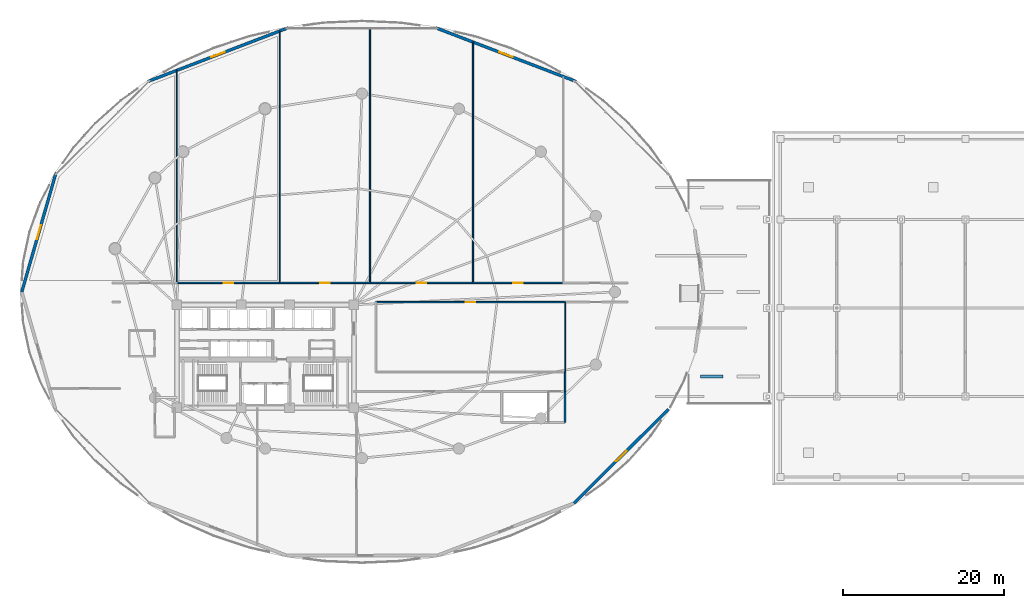
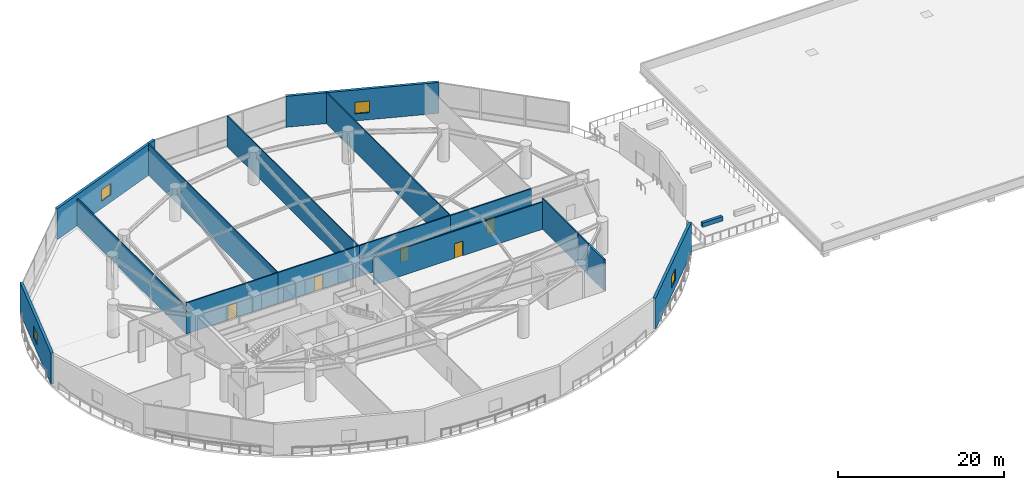
# One storey, part 18 of 26: 17 walls, 5 doors, 4 windows, 9 openings.
"""IFC4 building model written with IfcOpenShell, lengths in metres."""

from ifc_helpers import new_model, si_unit, direction, frame, frame_2d, origin, place, context, subcontext, project, spatial, rectangle, extrude, material, layer, layer_set, type_object, element, fill, save


model = new_model("IFC4")

# Units and contexts
model_context = context("Model", 3, precision=1e-05, world=origin(), true_north=direction((0.0, 1.0)))
body_context = subcontext(model_context, "Body", "Model", "MODEL_VIEW")
ifc_project = project(units=[si_unit("LENGTHUNIT", "METRE"), si_unit("AREAUNIT", "SQUARE_METRE"), si_unit("VOLUMEUNIT", "CUBIC_METRE"), si_unit("PLANEANGLEUNIT", "RADIAN"), si_unit("MASSUNIT", "GRAM", prefix="KILO")], contexts=[model_context])

# Site, building, storey
site_placement = place(None, origin())
site = spatial("IfcSite", under=ifc_project, at=site_placement, CompositionType="ELEMENT")
building_placement = place(site_placement, origin())
building = spatial("IfcBuilding", under=site, at=building_placement, Name="Kazevale Care Tower and Concert Hall", CompositionType="ELEMENT")
storey_placement = place(building_placement, frame((0.0, 0.0, 19.199951171875)))
storey = spatial("IfcBuildingStorey", under=building, at=storey_placement, Name="L04", CompositionType="ELEMENT", Elevation=19.199951171875)

# Walls
ifc_material_1 = material(Name="Acoustic Gypsum on Steel Stud", Category="steel")
ifc_layer_1 = layer(ifc_material_1, 0.139892578125)
ifc_layer_set_1 = layer_set([ifc_layer_1], Name="Acoustic Gypsum on Steel Stud")
wall_type_1 = type_object("IfcWallType", Name="Acoustic Care & Suite Partition 140", PredefinedType="PARTITIONING", material=ifc_layer_set_1)
wall_1_placement = place(storey_placement, frame((22.0, 65.529296875, 0.0), z_axis=(0.0, 0.0, 1.0), x_axis=(0.0, -1.0, 0.0)))
element("IfcWall", 1, at=wall_1_placement, inside=storey, type_object=wall_type_1, Name="wall:L04:auto_017", PredefinedType="PARTITIONING", context=body_context, shape_type="SweptSolid", body=[
    extrude(rectangle(XDim=26.434326171875, YDim=0.139892578125, at=frame_2d((13.21728515625, 0.0))), origin(), (0.0, 0.0, 1.0), 4.006103515625),
])
wall_2_placement = place(storey_placement, frame((34.800048828125, 70.425048828125, 0.0), z_axis=(0.0, 0.0, 1.0), x_axis=(0.0, -1.0, 0.0)))
element("IfcWall", 2, at=wall_2_placement, inside=storey, type_object=wall_type_1, Name="wall:L04:auto_018", PredefinedType="PARTITIONING", context=body_context, shape_type="SweptSolid", body=[
    extrude(rectangle(XDim=31.330078125, YDim=0.139892578125, at=frame_2d((15.6650390625, 0.0))), origin(), (0.0, 0.0, 1.0), 4.56005859375),
])
wall_3_placement = place(storey_placement, frame((46.0, 70.72802734375, 0.0), z_axis=(0.0, 0.0, 1.0), x_axis=(0.0, -1.0, 0.0)))
element("IfcWall", 3, at=wall_3_placement, inside=storey, type_object=wall_type_1, Name="wall:L04:auto_019", PredefinedType="PARTITIONING", context=body_context, shape_type="SweptSolid", body=[
    extrude(rectangle(XDim=31.633056640625, YDim=0.139892578125, at=frame_2d((15.81640625, 0.0))), origin(), (0.0, 0.0, 1.0), 4.56005859375),
])
wall_4_placement = place(storey_placement, frame((58.800048828125, 69.048095703125, 0.0), z_axis=(0.0, 0.0, 1.0), x_axis=(0.0, -1.0, 0.0)))
element("IfcWall", 4, at=wall_4_placement, inside=storey, type_object=wall_type_1, Name="wall:L04:auto_020", PredefinedType="PARTITIONING", context=body_context, shape_type="SweptSolid", body=[
    extrude(rectangle(XDim=29.953125, YDim=0.139892578125, at=frame_2d((14.9765625, 0.0))), origin(), (0.0, 0.0, 1.0), 4.56005859375),
])
wall_5_placement = place(storey_placement, frame((70.25, 36.7548828125, 0.0), z_axis=(0.0, 0.0, 1.0), x_axis=(0.0, -1.0, 0.0)))
element("IfcWall", 5, at=wall_5_placement, inside=storey, type_object=wall_type_1, Name="wall:L04:auto_023", PredefinedType="PARTITIONING", context=body_context, shape_type="SweptSolid", body=[
    extrude(rectangle(XDim=8.73486328125, YDim=0.139892578125, at=frame_2d((4.367431640625, 0.0))), origin(), (0.0, 0.0, 1.0), 4.56005859375),
])

# Wall, opening, door
ifc_material_2 = material(Name="Concrete C40 and Acoustic Gypsum", Category="concrete")
ifc_layer_2 = layer(ifc_material_2, 0.179931640625)
ifc_layer_set_2 = layer_set([ifc_layer_2], Name="Concrete C40 and Acoustic Gypsum")
wall_type_2 = type_object("IfcWallType", Name="Fire-Rated Corridor & Party Wall 180", PredefinedType="PARTITIONING", material=ifc_layer_set_2)
wall_6_placement = place(storey_placement, frame((21.93505859375, 39.125, 0.0), z_axis=(0.0, 0.0, 1.0), x_axis=(1.0, 0.0, 0.0)))
wall_6 = element("IfcWall", 6, at=wall_6_placement, inside=storey, type_object=wall_type_2, Name="wall:L04:auto_002", PredefinedType="PARTITIONING", context=body_context, shape_type="SweptSolid", body=[
    extrude(rectangle(XDim=12.929931640625, YDim=0.179931640625, at=frame_2d((6.46484375, 0.0))), origin(), (0.0, 0.0, 1.0), 4.56005859375),
])
opening_1_placement = place(wall_6_placement, frame((5.864990234375, 0.0, 0.0)))
opening_1 = element("IfcOpeningElement", 7, at=opening_1_placement, cuts=wall_6, Name="Opening ID-1200", PredefinedType="OPENING", context=body_context, shape_type="SweptSolid", body=[
    extrude(rectangle(XDim=1.199951171875, YDim=2.14990234375, at=frame_2d((0.60009765625, 1.074951171875))), frame((0.0, 0.099853515625, 0.0), z_axis=(0.0, -1.0, 0.0), x_axis=(1.0, 0.0, 0.0)), (0.0, 0.0, 1.0), 0.199951171875),
])
ifc_material_3 = material(Name="Oak Timber Fire Leaf", Category="wood")
door_type = type_object("IfcDoorType", Name="Clinical & Therapy Door 1200x2150", OperationType="NOTDEFINED", PredefinedType="DOOR", material=ifc_material_3)
door_1_placement = place(opening_1_placement, origin())
door_1 = element("IfcDoor", 8, at=door_1_placement, inside=storey, type_object=door_type, Name="door:L04:ad_002", OperationType="SINGLE_SWING_LEFT", OverallHeight=2.14990234375, OverallWidth=1.199951171875, PredefinedType="DOOR", context=body_context, shape_type="SweptSolid", body=[
    extrude(rectangle(XDim=1.199951171875, YDim=2.14990234375, at=frame_2d((0.60009765625, 1.074951171875))), frame((0.0, 0.02490234375, 0.0), z_axis=(0.0, -1.0, 0.0), x_axis=(1.0, 0.0, 0.0)), (0.0, 0.0, 1.0), 0.050048828125),
])
fill(opening_1, door_1)

wall_7_placement = place(storey_placement, frame((34.735107421875, 39.125, 0.0), z_axis=(0.0, 0.0, 1.0), x_axis=(1.0, 0.0, 0.0)))
wall_7 = element("IfcWall", 9, at=wall_7_placement, inside=storey, type_object=wall_type_2, Name="wall:L04:auto_003", PredefinedType="PARTITIONING", context=body_context, shape_type="SweptSolid", body=[
    extrude(rectangle(XDim=11.329833984375, YDim=0.179931640625, at=frame_2d((5.6650390625, 0.0))), origin(), (0.0, 0.0, 1.0), 4.56005859375),
])
opening_2_placement = place(wall_7_placement, frame((5.06494140625, 0.0, 0.0)))
opening_2 = element("IfcOpeningElement", 10, at=opening_2_placement, cuts=wall_7, Name="Opening ID-1200", PredefinedType="OPENING", context=body_context, shape_type="SweptSolid", body=[
    extrude(rectangle(XDim=1.199951171875, YDim=2.14990234375, at=frame_2d((0.60009765625, 1.074951171875))), frame((0.0, 0.099853515625, 0.0), z_axis=(0.0, -1.0, 0.0), x_axis=(1.0, 0.0, 0.0)), (0.0, 0.0, 1.0), 0.199951171875),
])
door_2_placement = place(opening_2_placement, origin())
door_2 = element("IfcDoor", 11, at=door_2_placement, inside=storey, type_object=door_type, Name="door:L04:ad_003", OperationType="SINGLE_SWING_LEFT", OverallHeight=2.14990234375, OverallWidth=1.199951171875, PredefinedType="DOOR", context=body_context, shape_type="SweptSolid", body=[
    extrude(rectangle(XDim=1.199951171875, YDim=2.14990234375, at=frame_2d((0.60009765625, 1.074951171875))), frame((0.0, 0.02490234375, 0.0), z_axis=(0.0, -1.0, 0.0), x_axis=(1.0, 0.0, 0.0)), (0.0, 0.0, 1.0), 0.050048828125),
])
fill(opening_2, door_2)

wall_8_placement = place(storey_placement, frame((45.93505859375, 39.125, 0.0), z_axis=(0.0, 0.0, 1.0), x_axis=(1.0, 0.0, 0.0)))
wall_8 = element("IfcWall", 12, at=wall_8_placement, inside=storey, type_object=wall_type_2, Name="wall:L04:auto_004", PredefinedType="PARTITIONING", context=body_context, shape_type="SweptSolid", body=[
    extrude(rectangle(XDim=12.929931640625, YDim=0.179931640625, at=frame_2d((6.46484375, 0.0))), origin(), (0.0, 0.0, 1.0), 4.56005859375),
])
opening_3_placement = place(wall_8_placement, frame((5.864990234375, 0.0, 0.0)))
opening_3 = element("IfcOpeningElement", 13, at=opening_3_placement, cuts=wall_8, Name="Opening ID-1200", PredefinedType="OPENING", context=body_context, shape_type="SweptSolid", body=[
    extrude(rectangle(XDim=1.199951171875, YDim=2.14990234375, at=frame_2d((0.60009765625, 1.074951171875))), frame((0.0, 0.099853515625, 0.0), z_axis=(0.0, -1.0, 0.0), x_axis=(1.0, 0.0, 0.0)), (0.0, 0.0, 1.0), 0.199951171875),
])
door_3_placement = place(opening_3_placement, origin())
door_3 = element("IfcDoor", 14, at=door_3_placement, inside=storey, type_object=door_type, Name="door:L04:ad_004", OperationType="SINGLE_SWING_LEFT", OverallHeight=2.14990234375, OverallWidth=1.199951171875, PredefinedType="DOOR", context=body_context, shape_type="SweptSolid", body=[
    extrude(rectangle(XDim=1.199951171875, YDim=2.14990234375, at=frame_2d((0.60009765625, 1.074951171875))), frame((0.0, 0.02490234375, 0.0), z_axis=(0.0, -1.0, 0.0), x_axis=(1.0, 0.0, 0.0)), (0.0, 0.0, 1.0), 0.050048828125),
])
fill(opening_3, door_3)

wall_9_placement = place(storey_placement, frame((58.735107421875, 39.125, 0.0), z_axis=(0.0, 0.0, 1.0), x_axis=(1.0, 0.0, 0.0)))
wall_9 = element("IfcWall", 15, at=wall_9_placement, inside=storey, type_object=wall_type_2, Name="wall:L04:auto_005", PredefinedType="PARTITIONING", context=body_context, shape_type="SweptSolid", body=[
    extrude(rectangle(XDim=11.329833984375, YDim=0.179931640625, at=frame_2d((5.6650390625, 0.0))), origin(), (0.0, 0.0, 1.0), 4.56005859375),
])
opening_4_placement = place(wall_9_placement, frame((5.06494140625, 0.0, 0.0)))
opening_4 = element("IfcOpeningElement", 16, at=opening_4_placement, cuts=wall_9, Name="Opening ID-1200", PredefinedType="OPENING", context=body_context, shape_type="SweptSolid", body=[
    extrude(rectangle(XDim=1.199951171875, YDim=2.14990234375, at=frame_2d((0.60009765625, 1.074951171875))), frame((0.0, 0.099853515625, 0.0), z_axis=(0.0, -1.0, 0.0), x_axis=(1.0, 0.0, 0.0)), (0.0, 0.0, 1.0), 0.199951171875),
])
door_4_placement = place(opening_4_placement, origin())
door_4 = element("IfcDoor", 17, at=door_4_placement, inside=storey, type_object=door_type, Name="door:L04:ad_005", OperationType="SINGLE_SWING_LEFT", OverallHeight=2.14990234375, OverallWidth=1.199951171875, PredefinedType="DOOR", context=body_context, shape_type="SweptSolid", body=[
    extrude(rectangle(XDim=1.199951171875, YDim=2.14990234375, at=frame_2d((0.60009765625, 1.074951171875))), frame((0.0, 0.02490234375, 0.0), z_axis=(0.0, -1.0, 0.0), x_axis=(1.0, 0.0, 0.0)), (0.0, 0.0, 1.0), 0.050048828125),
])
fill(opening_4, door_4)

wall_10_placement = place(storey_placement, frame((70.31494140625, 36.72509765625, 0.0), z_axis=(0.0, 0.0, 1.0), x_axis=(-1.0, 0.0, 0.0)))
wall_10 = element("IfcWall", 18, at=wall_10_placement, inside=storey, type_object=wall_type_2, Name="wall:L04:auto_008", PredefinedType="PARTITIONING", context=body_context, shape_type="SweptSolid", body=[
    extrude(rectangle(XDim=23.619873046875, YDim=0.179931640625, at=frame_2d((11.81005859375, 0.0))), origin(), (0.0, 0.0, 1.0), 4.006103515625),
])
opening_5_placement = place(wall_10_placement, frame((11.2099609375, 0.0, 0.0)))
opening_5 = element("IfcOpeningElement", 19, at=opening_5_placement, cuts=wall_10, Name="Opening ID-1200", PredefinedType="OPENING", context=body_context, shape_type="SweptSolid", body=[
    extrude(rectangle(XDim=1.199951171875, YDim=2.14990234375, at=frame_2d((0.60009765625, 1.074951171875))), frame((0.0, 0.099853515625, 0.0), z_axis=(0.0, -1.0, 0.0), x_axis=(1.0, 0.0, 0.0)), (0.0, 0.0, 1.0), 0.199951171875),
])
door_5_placement = place(opening_5_placement, origin())
door_5 = element("IfcDoor", 20, at=door_5_placement, inside=storey, type_object=door_type, Name="door:L04:ad_008", OperationType="SINGLE_SWING_LEFT", OverallHeight=2.14990234375, OverallWidth=1.199951171875, PredefinedType="DOOR", context=body_context, shape_type="SweptSolid", body=[
    extrude(rectangle(XDim=1.199951171875, YDim=2.14990234375, at=frame_2d((0.60009765625, 1.074951171875))), frame((0.0, 0.02490234375, 0.0), z_axis=(0.0, -1.0, 0.0), x_axis=(1.0, 0.0, 0.0)), (0.0, 0.0, 1.0), 0.050048828125),
])
fill(opening_5, door_5)

# Wall
wall_11_placement = place(storey_placement, frame((70.25, 28.080078125, 0.0), z_axis=(0.0, 0.0, 1.0), x_axis=(0.0, -1.0, 0.0)))
element("IfcWall", 21, at=wall_11_placement, inside=storey, type_object=wall_type_2, Name="wall:L04:auto_012", PredefinedType="PARTITIONING", context=body_context, shape_type="SweptSolid", body=[
    extrude(rectangle(XDim=2.4599609375, YDim=0.179931640625, at=frame_2d((1.22998046875, 0.0))), origin(), (0.0, 0.0, 1.0), 4.56005859375),
])

# Wall, opening, window
ifc_material_4 = material(Name="Concrete C40 with Honed Limestone Cladding", Category="masonry")
ifc_layer_3 = layer(ifc_material_4, 0.360107421875)
ifc_layer_set_3 = layer_set([ifc_layer_3], Name="Concrete C40 with Honed Limestone Cladding")
wall_type_3 = type_object("IfcWallType", Name="Podium Insulated Limestone Wall 360", PredefinedType="STANDARD", material=ifc_layer_set_3)
wall_12_placement = place(storey_placement, frame((71.60400390625, 64.160888671875, 0.0), z_axis=(0.0, 0.0, 1.0), x_axis=(-0.934010262022, 0.357246176238, 0.0)))
wall_12 = element("IfcWall", 22, at=wall_12_placement, inside=storey, type_object=wall_type_3, Name="wall:L04:podew:03", PredefinedType="STANDARD", context=body_context, shape_type="SweptSolid", body=[
    extrude(rectangle(XDim=18.671142578125, YDim=0.360107421875, at=frame_2d((9.33544921875, 0.0))), origin(), (0.0, 0.0, 1.0), 4.56005859375),
])
opening_6_placement = place(wall_12_placement, frame((8.43603515625, 0.0, 1.050048828125)))
opening_6 = element("IfcOpeningElement", 23, at=opening_6_placement, cuts=wall_12, Name="Opening WIN-2", PredefinedType="OPENING", context=body_context, shape_type="SweptSolid", body=[
    extrude(rectangle(XDim=1.800048828125, YDim=1.699951171875, at=frame_2d((0.89990234375, 0.85009765625))), frame((0.0, 0.18994140625, 0.0), z_axis=(0.0, -1.0, 0.0), x_axis=(1.0, 0.0, 0.0)), (0.0, 0.0, 1.0), 0.380126953125),
])
ifc_material_5 = material(Name="Low-E Laminated Glass", Category="glass")
window_type = type_object("IfcWindowType", Name="Clinical Punched Window 1800x1700", PartitioningType="DOUBLE_PANEL_VERTICAL", PredefinedType="WINDOW", material=ifc_material_5)
window_1_placement = place(opening_6_placement, origin())
window_1 = element("IfcWindow", 24, at=window_1_placement, inside=storey, type_object=window_type, Name="win:L04:pod:03", OverallHeight=1.699951171875, OverallWidth=1.800048828125, PartitioningType="SINGLE_PANEL", PredefinedType="WINDOW", context=body_context, shape_type="SweptSolid", body=[
    extrude(rectangle(XDim=1.800048828125, YDim=1.699951171875, at=frame_2d((0.89990234375, 0.85009765625))), frame((0.0, 0.030029296875, 0.0), z_axis=(0.0, -1.0, 0.0), x_axis=(1.0, 0.0, 0.0)), (0.0, 0.0, 1.0), 0.06005859375),
])
fill(opening_6, window_1)

wall_13_placement = place(storey_placement, frame((35.8349609375, 70.8310546875, 0.0), z_axis=(0.0, 0.0, 1.0), x_axis=(-0.934010262022, -0.357246176238, 0.0)))
wall_13 = element("IfcWall", 25, at=wall_13_placement, inside=storey, type_object=wall_type_3, Name="wall:L04:podew:05", PredefinedType="STANDARD", context=body_context, shape_type="SweptSolid", body=[
    extrude(rectangle(XDim=18.671142578125, YDim=0.360107421875, at=frame_2d((9.33544921875, 0.0))), origin(), (0.0, 0.0, 1.0), 4.56005859375),
])
opening_7_placement = place(wall_13_placement, frame((8.43603515625, 0.0, 1.050048828125)))
opening_7 = element("IfcOpeningElement", 26, at=opening_7_placement, cuts=wall_13, Name="Opening WIN-2", PredefinedType="OPENING", context=body_context, shape_type="SweptSolid", body=[
    extrude(rectangle(XDim=1.800048828125, YDim=1.699951171875, at=frame_2d((0.89990234375, 0.85009765625))), frame((0.0, 0.18994140625, 0.0), z_axis=(0.0, -1.0, 0.0), x_axis=(1.0, 0.0, 0.0)), (0.0, 0.0, 1.0), 0.380126953125),
])
window_2_placement = place(opening_7_placement, origin())
window_2 = element("IfcWindow", 27, at=window_2_placement, inside=storey, type_object=window_type, Name="win:L04:pod:05", OverallHeight=1.699951171875, OverallWidth=1.800048828125, PartitioningType="SINGLE_PANEL", PredefinedType="WINDOW", context=body_context, shape_type="SweptSolid", body=[
    extrude(rectangle(XDim=1.800048828125, YDim=1.699951171875, at=frame_2d((0.89990234375, 0.85009765625))), frame((0.0, 0.030029296875, 0.0), z_axis=(0.0, -1.0, 0.0), x_axis=(1.0, 0.0, 0.0)), (0.0, 0.0, 1.0), 0.06005859375),
])
fill(opening_7, window_2)

wall_14_placement = place(storey_placement, frame((6.97900390625, 52.820068359375, 0.0), z_axis=(0.0, 0.0, 1.0), x_axis=(-0.276203409751, -0.961099202186, 0.0)))
wall_14 = element("IfcWall", 28, at=wall_14_placement, inside=storey, type_object=wall_type_3, Name="wall:L04:podew:07", PredefinedType="STANDARD", context=body_context, shape_type="SweptSolid", body=[
    extrude(rectangle(XDim=15.419921875, YDim=0.360107421875, at=frame_2d((7.7099609375, 0.0))), origin(), (0.0, 0.0, 1.0), 4.56005859375),
])
opening_8_placement = place(wall_14_placement, frame((6.81005859375, 0.0, 1.050048828125)))
opening_8 = element("IfcOpeningElement", 29, at=opening_8_placement, cuts=wall_14, Name="Opening WIN-2", PredefinedType="OPENING", context=body_context, shape_type="SweptSolid", body=[
    extrude(rectangle(XDim=1.800048828125, YDim=1.699951171875, at=frame_2d((0.89990234375, 0.85009765625))), frame((0.0, 0.18994140625, 0.0), z_axis=(0.0, -1.0, 0.0), x_axis=(1.0, 0.0, 0.0)), (0.0, 0.0, 1.0), 0.380126953125),
])
window_3_placement = place(opening_8_placement, origin())
window_3 = element("IfcWindow", 30, at=window_3_placement, inside=storey, type_object=window_type, Name="win:L04:pod:07", OverallHeight=1.699951171875, OverallWidth=1.800048828125, PartitioningType="SINGLE_PANEL", PredefinedType="WINDOW", context=body_context, shape_type="SweptSolid", body=[
    extrude(rectangle(XDim=1.800048828125, YDim=1.699951171875, at=frame_2d((0.89990234375, 0.85009765625))), frame((0.0, 0.030029296875, 0.0), z_axis=(0.0, -1.0, 0.0), x_axis=(1.0, 0.0, 0.0)), (0.0, 0.0, 1.0), 0.06005859375),
])
fill(opening_8, window_3)

wall_15_placement = place(storey_placement, frame((71.361083984375, 11.74609375, 0.0), z_axis=(0.0, 0.0, 1.0), x_axis=(0.708557675059, 0.705652904135, 0.0)))
wall_15 = element("IfcWall", 31, at=wall_15_placement, inside=storey, type_object=wall_type_3, Name="wall:L04:podew:13", PredefinedType="STANDARD", context=body_context, shape_type="SweptSolid", body=[
    extrude(rectangle(XDim=16.557373046875, YDim=0.360107421875, at=frame_2d((8.27880859375, 0.0))), origin(), (0.0, 0.0, 1.0), 4.56005859375),
])
opening_9_placement = place(wall_15_placement, frame((7.37890625, 0.0, 1.050048828125)))
opening_9 = element("IfcOpeningElement", 32, at=opening_9_placement, cuts=wall_15, Name="Opening WIN-2", PredefinedType="OPENING", context=body_context, shape_type="SweptSolid", body=[
    extrude(rectangle(XDim=1.800048828125, YDim=1.699951171875, at=frame_2d((0.89990234375, 0.85009765625))), frame((0.0, 0.18994140625, 0.0), z_axis=(0.0, -1.0, 0.0), x_axis=(1.0, 0.0, 0.0)), (0.0, 0.0, 1.0), 0.380126953125),
])
window_4_placement = place(opening_9_placement, origin())
window_4 = element("IfcWindow", 33, at=window_4_placement, inside=storey, type_object=window_type, Name="win:L04:pod:13", OverallHeight=1.699951171875, OverallWidth=1.800048828125, PartitioningType="SINGLE_PANEL", PredefinedType="WINDOW", context=body_context, shape_type="SweptSolid", body=[
    extrude(rectangle(XDim=1.800048828125, YDim=1.699951171875, at=frame_2d((0.89990234375, 0.85009765625))), frame((0.0, 0.030029296875, 0.0), z_axis=(0.0, -1.0, 0.0), x_axis=(1.0, 0.0, 0.0)), (0.0, 0.0, 1.0), 0.06005859375),
])
fill(opening_9, window_4)

# Walls
ifc_material_6 = material(Name="Concrete C40", Category="concrete")
ifc_layer_4 = layer(ifc_material_6, 0.25)
ifc_layer_set_4 = layer_set([ifc_layer_4], Name="Concrete C40")
wall_type_4 = type_object("IfcWallType", Name="Pressurized Stair Shaft Wall 250", PredefinedType="SOLIDWALL", material=ifc_layer_set_4)
wall_16_placement = place(storey_placement, frame((70.25, 21.75, 0.0), z_axis=(0.0, 0.0, 1.0), x_axis=(0.0, 1.0, 0.0)))
element("IfcWall", 34, at=wall_16_placement, inside=storey, type_object=wall_type_4, Name="wall:L04:pod_st3_e", PredefinedType="SOLIDWALL", context=body_context, shape_type="SweptSolid", body=[
    extrude(rectangle(XDim=3.89990234375, YDim=0.25, at=frame_2d((1.949951171875, 0.0))), origin(), (0.0, 0.0, 1.0), 4.56005859375),
])
ifc_material_7 = material(Name="Honed Ochre Limestone", Category="masonry")
ifc_layer_5 = layer(ifc_material_7, 0.39990234375)
ifc_layer_set_5 = layer_set([ifc_layer_5], Name="Honed Ochre Limestone")
wall_type_5 = type_object("IfcWallType", Name="Shakkei Garden Stone Planter Wall", PredefinedType="USERDEFINED", material=ifc_layer_set_5)
wall_17_placement = place(storey_placement, frame((87.10009765625, 27.5, 0.0), z_axis=(0.0, 0.0, 1.0), x_axis=(1.0, 0.0, 0.0)))
element("IfcWall", 35, at=wall_17_placement, inside=storey, type_object=wall_type_5, Name="planter:L04:1", ObjectType="PLANTER", PredefinedType="USERDEFINED", context=body_context, shape_type="SweptSolid", body=[
    extrude(rectangle(XDim=2.7998046875, YDim=0.39990234375, at=frame_2d((1.39990234375, 0.0))), origin(), (0.0, 0.0, 1.0), 0.650146484375),
])

save(model, "model.ifc")
